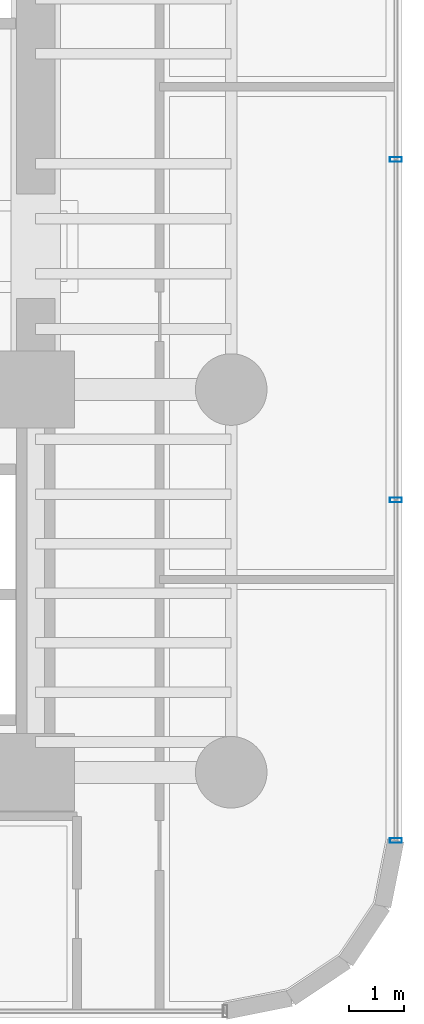
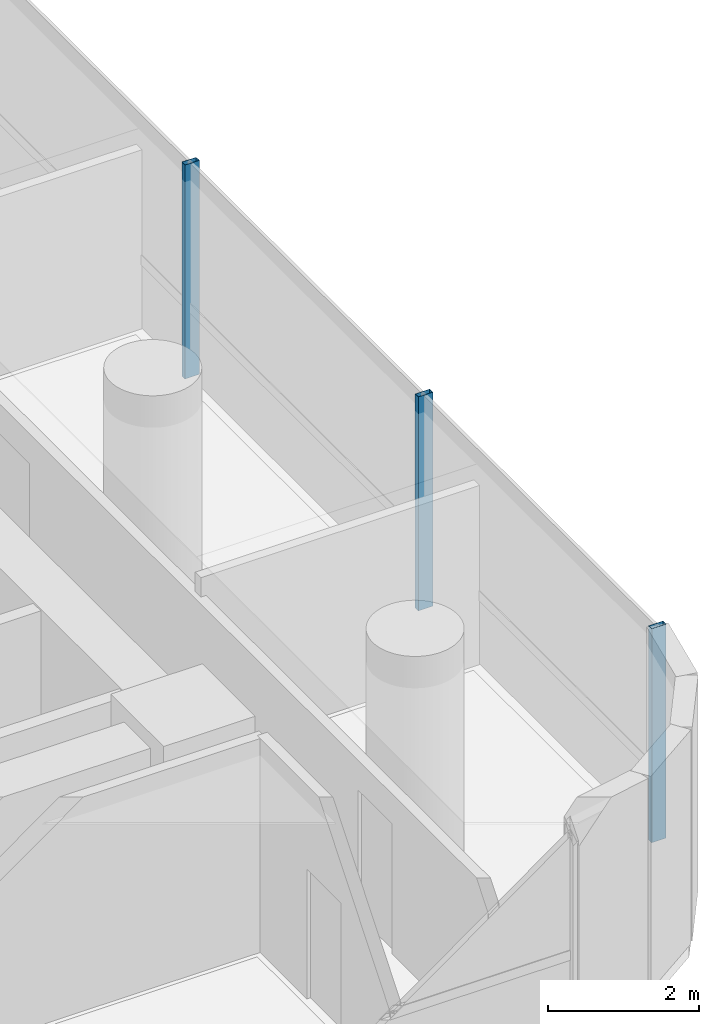
# One storey, part 25 of 39: 3 members, 1 element without a shape of its own.
"""IFC4 building model written with IfcOpenShell, lengths in metres."""

from ifc_helpers import new_model, si_unit, direction, frame, origin, origin_2d, place, context, subcontext, project, spatial, hollow_rectangle, extrude, source, transform, mapped, material, material_profile, profile_set, type_object, element, aggregate, save


model = new_model("IFC4")

# Units and contexts
model_context = context("Model", 3, precision=1e-05, world=origin(), true_north=direction((0.0, 1.0)))
body_context = subcontext(model_context, "Body", "Model", "MODEL_VIEW")
ifc_project = project(units=[si_unit("LENGTHUNIT", "METRE"), si_unit("AREAUNIT", "SQUARE_METRE"), si_unit("VOLUMEUNIT", "CUBIC_METRE"), si_unit("PLANEANGLEUNIT", "RADIAN"), si_unit("MASSUNIT", "GRAM", prefix="KILO")], contexts=[model_context])

# Site, building, storey
site_placement = place(None, origin())
site = spatial("IfcSite", under=ifc_project, at=site_placement, CompositionType="ELEMENT")
building_placement = place(site_placement, origin())
building = spatial("IfcBuilding", under=site, at=building_placement, Name="Valdorenza Pilgrim Sanctuary Tower", CompositionType="ELEMENT")
storey_placement = place(building_placement, frame((0.0, 0.0, 33.39990234375)))
storey = spatial("IfcBuildingStorey", under=building, at=storey_placement, Name="L07", CompositionType="ELEMENT", Elevation=33.39990234375)

# Curtain wall, members
ifc_material_1 = material(Name="Curtain-wall IGU glazing", Category="glass")
curtain_wall_type = type_object("IfcCurtainWallType", Name="CW-SYS-03", PredefinedType="NOTDEFINED", material=ifc_material_1)
curtain_wall_placement = place(storey_placement, origin())
curtain_wall = element("IfcCurtainWall", 1, at=curtain_wall_placement, inside=storey, type_object=curtain_wall_type, Name="L07 Curtain Wall CW-L07-1-21", PredefinedType="NOTDEFINED")
ifc_material_2 = material(Name="Anodised aluminium AW-6060", Category="aluminium")
ifc_material_profile = material_profile(ifc_material_2, hollow_rectangle(XDim=0.0849609375, YDim=0.219970703125, WallThickness=0.0048828125, at=origin_2d()), Name="ALU-M 220x85x5")
ifc_profile_set = profile_set([ifc_material_profile], Name="Anodised aluminium AW-6060")
member_type = type_object("IfcMemberType", Name="CW-MUL-03", PredefinedType="MULLION", material=ifc_profile_set)
shared_shape = source(origin(), body_context, "Body", "SweptSolid", [
    extrude(hollow_rectangle(XDim=0.0849609375, YDim=0.219970703125, WallThickness=0.0048828125, at=origin_2d()), origin(), (0.0, 0.0, 1.0), 3.460205078125),
])
member_1_placement = place(storey_placement, frame((31.389892578125, 1.577880859375, 0.0), z_axis=(0.0, 0.0, 1.0), x_axis=(0.0, -1.0, 0.0)))
member_1 = element("IfcMember", 2, at=member_1_placement, type_object=member_type, Name="CW-L07-1-21 Mullion 3", PredefinedType="MULLION", context=body_context, shape_type="MappedRepresentation", body=[
    mapped(shared_shape, transform((0.0, 0.0, 0.0), x_axis=(1.0, 0.0, 0.0), y_axis=(0.0, 1.0, 0.0), z_axis=(0.0, 0.0, 1.0), scale=1.0)),
])
member_2_placement = place(storey_placement, frame((31.389892578125, -4.605712890625, 0.0), z_axis=(0.0, 0.0, 1.0), x_axis=(0.0, -1.0, 0.0)))
member_2 = element("IfcMember", 3, at=member_2_placement, type_object=member_type, Name="CW-L07-1-21 Mullion 4", PredefinedType="MULLION", context=body_context, shape_type="MappedRepresentation", body=[
    mapped(shared_shape, transform((0.0, 0.0, 0.0), x_axis=(1.0, 0.0, 0.0), y_axis=(0.0, 1.0, 0.0), z_axis=(0.0, 0.0, 1.0), scale=1.0)),
])
member_3_placement = place(storey_placement, frame((31.389892578125, -10.789306640625, 0.0), z_axis=(0.0, 0.0, 1.0), x_axis=(0.0, -1.0, 0.0)))
member_3 = element("IfcMember", 4, at=member_3_placement, type_object=member_type, Name="CW-L07-1-21 Mullion 5", PredefinedType="MULLION", context=body_context, shape_type="MappedRepresentation", body=[
    mapped(shared_shape, transform((0.0, 0.0, 0.0), x_axis=(1.0, 0.0, 0.0), y_axis=(0.0, 1.0, 0.0), z_axis=(0.0, 0.0, 1.0), scale=1.0)),
])
aggregate(curtain_wall, [member_1, member_2, member_3])

save(model, "model.ifc")
